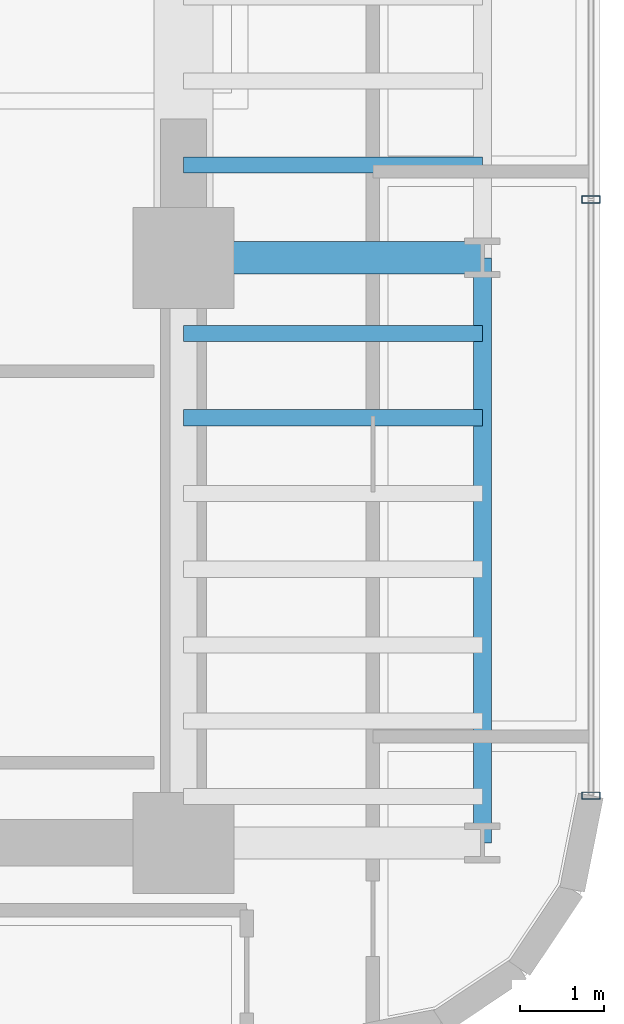
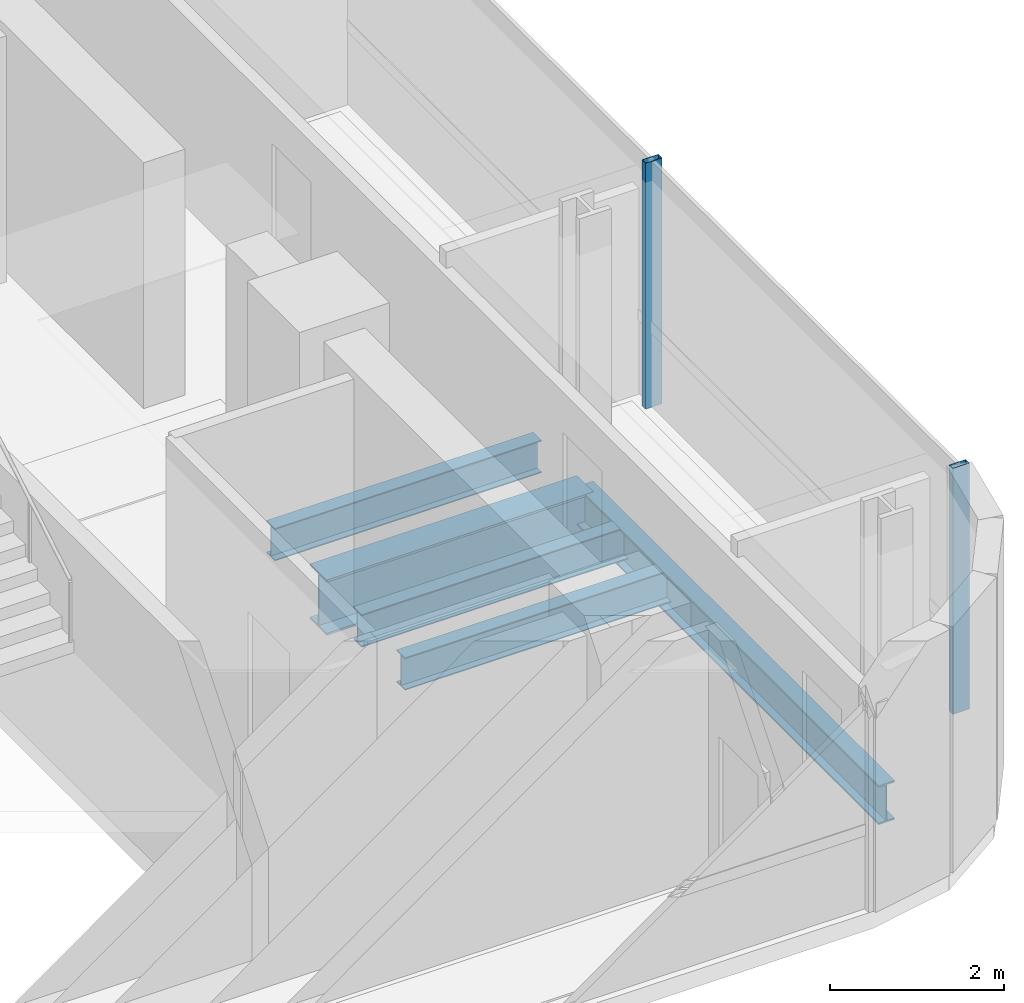
# One storey, part 13 of 33: 5 beams, 2 members, 1 element without a shape of its own.
"""IFC4 building model written with IfcOpenShell, lengths in metres."""

from ifc_helpers import new_model, si_unit, direction, frame, origin, origin_2d, place, context, subcontext, project, spatial, hollow_rectangle, i_section, extrude, source, transform, mapped, material, material_profile, profile_set, type_object, element, aggregate, save


model = new_model("IFC4")

# Units and contexts
model_context = context("Model", 3, precision=1e-05, world=origin(), true_north=direction((0.0, 1.0)))
body_context = subcontext(model_context, "Body", "Model", "MODEL_VIEW")
ifc_project = project(units=[si_unit("LENGTHUNIT", "METRE"), si_unit("AREAUNIT", "SQUARE_METRE"), si_unit("VOLUMEUNIT", "CUBIC_METRE"), si_unit("PLANEANGLEUNIT", "RADIAN"), si_unit("MASSUNIT", "GRAM", prefix="KILO")], contexts=[model_context])

# Site, building, storey
site_placement = place(None, origin())
site = spatial("IfcSite", under=ifc_project, at=site_placement, CompositionType="ELEMENT")
building_placement = place(site_placement, origin())
building = spatial("IfcBuilding", under=site, at=building_placement, Name="Valdorenza Pilgrim Sanctuary Tower", CompositionType="ELEMENT")
storey_placement = place(building_placement, frame((0.0, 0.0, 157.5)))
storey = spatial("IfcBuildingStorey", under=building, at=storey_placement, Name="L40", CompositionType="ELEMENT", Elevation=157.5)

# Beams
ifc_material_1 = material(Name="Steel ASTM A992 Grade 50", Category="steel")
ifc_material_profile_1 = material_profile(ifc_material_1, i_section(OverallWidth=0.214111328125, OverallDepth=0.549072265625, WebThickness=0.0146484375, FlangeThickness=0.023681640625, at=origin_2d()), Name="W21X93")
ifc_profile_set_1 = profile_set([ifc_material_profile_1], Name="Steel ASTM A992 Grade 50")
beam_type_1 = type_object("IfcBeamType", Name="STR-BM-SPN-W21A", PredefinedType="SPANDREL", material=ifc_profile_set_1)
shared_shape_1 = source(origin(), body_context, "Body", "SweptSolid", [
    extrude(i_section(OverallWidth=0.214111328125, OverallDepth=0.549072265625, WebThickness=0.0146484375, FlangeThickness=0.023681640625, at=origin_2d()), origin(), (0.0, 0.0, 1.0), 6.949951171875),
])
beam_1_placement = place(storey_placement, frame((28.39990234375, -9.550048828125, -0.514404296875), z_axis=(0.0, 1.0, 0.0), x_axis=(-1.0, 0.0, 0.0)))
element("IfcBeam", 1, at=beam_1_placement, inside=storey, type_object=beam_type_1, Name="L40 Spandrel Beam WB-E-S1M0", PredefinedType="SPANDREL", context=body_context, shape_type="MappedRepresentation", body=[
    mapped(shared_shape_1, transform((0.0, 0.0, 0.0), x_axis=(1.0, 0.0, 0.0), y_axis=(0.0, 1.0, 0.0), z_axis=(0.0, 0.0, 1.0), scale=1.0)),
])
ifc_material_profile_2 = material_profile(ifc_material_1, i_section(OverallWidth=0.382080078125, OverallDepth=0.779052734375, WebThickness=0.01806640625, FlangeThickness=0.030029296875, at=origin_2d()), Name="W30X191")
ifc_profile_set_2 = profile_set([ifc_material_profile_2], Name="Steel ASTM A992 Grade 50")
beam_type_2 = type_object("IfcBeamType", Name="STR-BM-GRD-W30", PredefinedType="BEAM", material=ifc_profile_set_2)
shared_shape_2 = source(origin(), body_context, "Body", "SweptSolid", [
    extrude(i_section(OverallWidth=0.382080078125, OverallDepth=0.779052734375, WebThickness=0.01806640625, FlangeThickness=0.030029296875, at=origin_2d()), origin(), (0.0, 0.0, 1.0), 3.5498046875),
])
beam_2_placement = place(storey_placement, frame((24.85009765625, -2.60009765625, -0.62939453125), z_axis=(1.0, 0.0, 0.0), x_axis=(0.0, 1.0, 0.0)))
element("IfcBeam", 2, at=beam_2_placement, inside=storey, type_object=beam_type_2, Name="L40 Floor Girder WB-XE-M0", PredefinedType="BEAM", context=body_context, shape_type="MappedRepresentation", body=[
    mapped(shared_shape_2, transform((0.0, 0.0, 0.0), x_axis=(1.0, 0.0, 0.0), y_axis=(0.0, 1.0, 0.0), z_axis=(0.0, 0.0, 1.0), scale=1.0)),
])
ifc_material_profile_3 = material_profile(ifc_material_1, i_section(OverallWidth=0.19091796875, OverallDepth=0.45703125, WebThickness=0.009033203125, FlangeThickness=0.014404296875, at=origin_2d()), Name="W18X50")
ifc_profile_set_3 = profile_set([ifc_material_profile_3], Name="Steel ASTM A992 Grade 50")
beam_type_3 = type_object("IfcBeamType", Name="STR-BM-JST-W18B", PredefinedType="JOIST", material=ifc_profile_set_3)
shared_shape_3 = source(origin(), body_context, "Body", "SweptSolid", [
    extrude(i_section(OverallWidth=0.19091796875, OverallDepth=0.45703125, WebThickness=0.009033203125, FlangeThickness=0.014404296875, at=origin_2d()), origin(), (0.0, 0.0, 1.0), 3.5498046875),
])
for number, where, z_axis, x_axis, name in (
    (3, (24.85009765625, -4.5, -0.468505859375), (1.0, 0.0, 0.0), (0.0, 1.0, 0.0), "L40 Composite Floor Joist JST-WB-6"),
    (4, (24.85009765625, -3.5, -0.468505859375), (1.0, 0.0, 0.0), (0.0, 1.0, 0.0), "L40 Composite Floor Joist JST-WB-7"),
    (5, (24.85009765625, -1.5, -0.468505859375), (1.0, 0.0, 0.0), (0.0, 1.0, 0.0), "L40 Composite Floor Joist JST-WB-8"),
):
    element("IfcBeam", number, at=place(storey_placement, frame(where, z_axis=z_axis, x_axis=x_axis)), inside=storey, type_object=beam_type_3, Name=name, PredefinedType="JOIST", context=body_context, shape_type="MappedRepresentation", body=[
        mapped(shared_shape_3, transform((0.0, 0.0, 0.0), x_axis=(1.0, 0.0, 0.0), y_axis=(0.0, 1.0, 0.0), z_axis=(0.0, 0.0, 1.0), scale=1.0)),
    ])

# Curtain wall, members
ifc_material_2 = material(Name="Curtain-wall IGU glazing", Category="glass")
curtain_wall_type = type_object("IfcCurtainWallType", Name="CW-SYS-03", PredefinedType="NOTDEFINED", material=ifc_material_2)
curtain_wall_placement = place(storey_placement, origin())
curtain_wall = element("IfcCurtainWall", 6, at=curtain_wall_placement, inside=storey, type_object=curtain_wall_type, Name="L40 Curtain Wall CW-L40-2-11", PredefinedType="NOTDEFINED")
ifc_material_3 = material(Name="Anodised aluminium AW-6060", Category="aluminium")
ifc_material_profile_4 = material_profile(ifc_material_3, hollow_rectangle(XDim=0.0849609375, YDim=0.219970703125, WallThickness=0.0048828125, at=origin_2d()), Name="ALU-M 220x85x5")
ifc_profile_set_4 = profile_set([ifc_material_profile_4], Name="Anodised aluminium AW-6060")
member_type = type_object("IfcMemberType", Name="CW-MUL-03", PredefinedType="MULLION", material=ifc_profile_set_4)
shared_shape_4 = source(origin(), body_context, "Body", "SweptSolid", [
    extrude(hollow_rectangle(XDim=0.0849609375, YDim=0.219970703125, WallThickness=0.0048828125, at=origin_2d()), origin(), (0.0, 0.0, 1.0), 3.4599609375),
])
member_1_placement = place(storey_placement, frame((29.68994140625, -1.908447265625, 0.0), z_axis=(0.0, 0.0, 1.0), x_axis=(0.0, -1.0, 0.0)))
member_1 = element("IfcMember", 7, at=member_1_placement, type_object=member_type, Name="CW-L40-2-11 Mullion 3", PredefinedType="MULLION", context=body_context, shape_type="MappedRepresentation", body=[
    mapped(shared_shape_4, transform((0.0, 0.0, 0.0), x_axis=(1.0, 0.0, 0.0), y_axis=(0.0, 1.0, 0.0), z_axis=(0.0, 0.0, 1.0), scale=1.0)),
])
member_2_placement = place(storey_placement, frame((29.68994140625, -8.9892578125, 0.0), z_axis=(0.0, 0.0, 1.0), x_axis=(0.0, -1.0, 0.0)))
member_2 = element("IfcMember", 8, at=member_2_placement, type_object=member_type, Name="CW-L40-2-11 Mullion 4", PredefinedType="MULLION", context=body_context, shape_type="MappedRepresentation", body=[
    mapped(shared_shape_4, transform((0.0, 0.0, 0.0), x_axis=(1.0, 0.0, 0.0), y_axis=(0.0, 1.0, 0.0), z_axis=(0.0, 0.0, 1.0), scale=1.0)),
])
aggregate(curtain_wall, [member_1, member_2])

save(model, "model.ifc")
